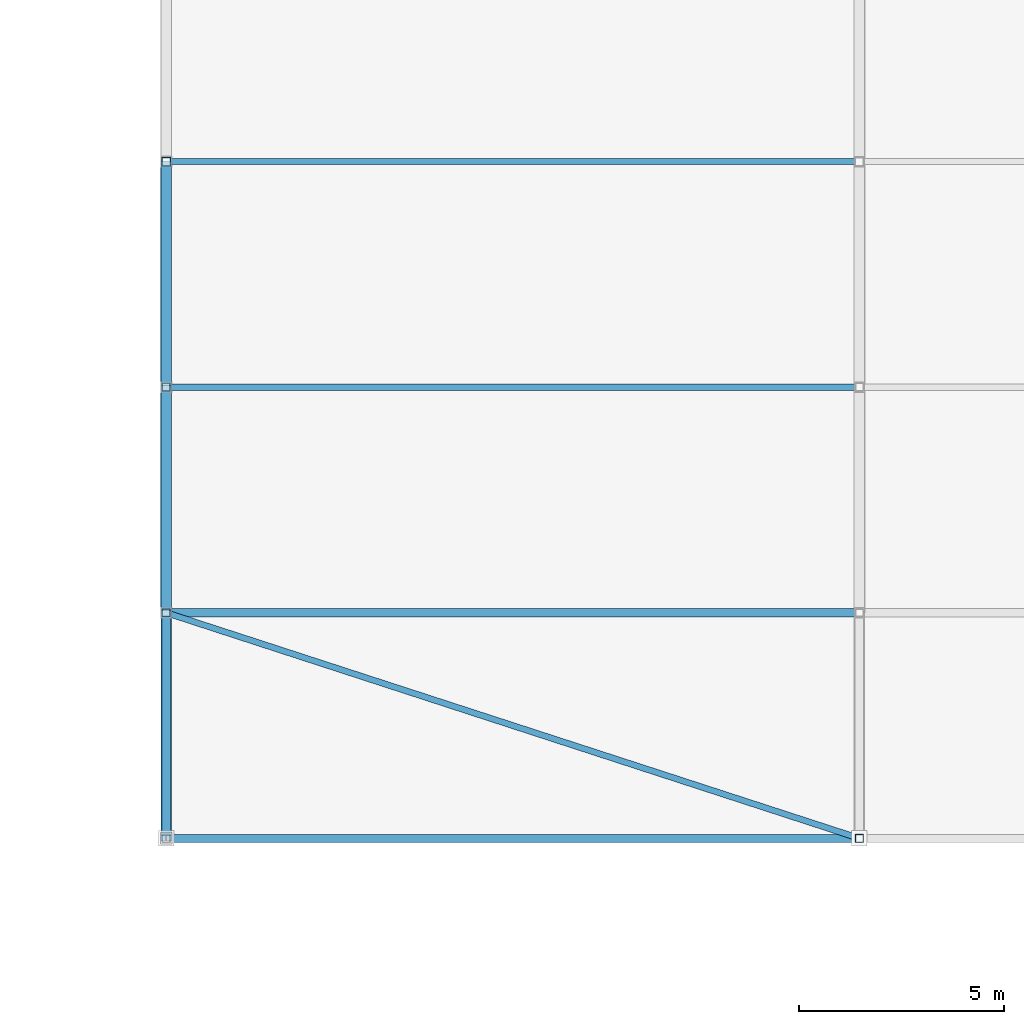
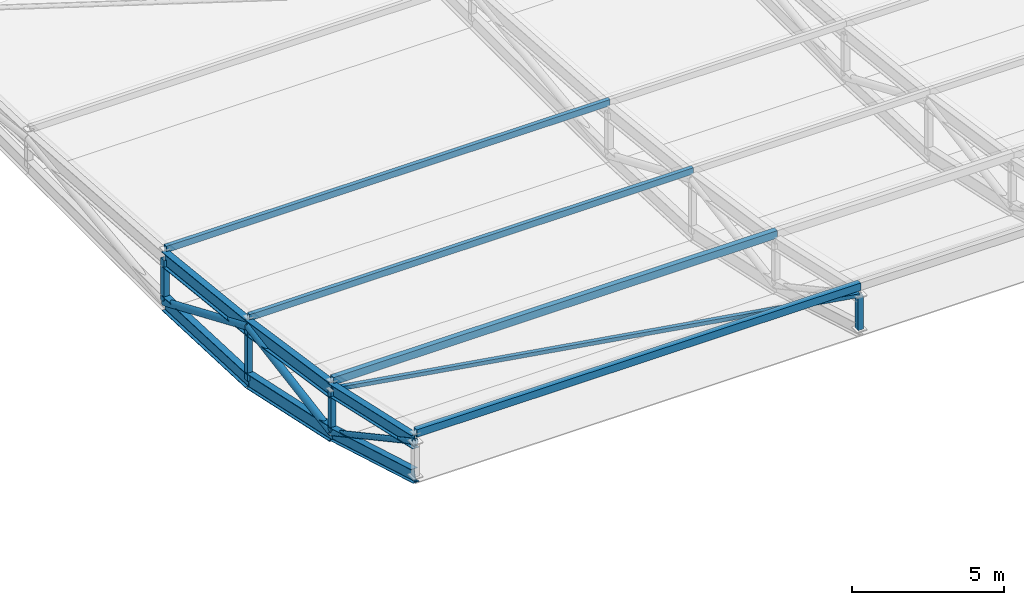
# One storey, part 32 of 114: 12 members, 6 beams.
"""IFC4 building model written with IfcOpenShell, lengths in metres."""

from ifc_helpers import new_model, si_unit, direction, frame, origin, origin_2d, place, context, subcontext, project, spatial, hollow_rectangle, hollow_circle, i_section, extrude, material, material_profile, profile_set, type_object, element, save


model = new_model("IFC4")

# Units and contexts
model_context = context("Model", 3, precision=1e-05, world=origin(), true_north=direction((0.0, 1.0)))
body_context = subcontext(model_context, "Body", "Model", "MODEL_VIEW")
ifc_project = project(units=[si_unit("LENGTHUNIT", "METRE"), si_unit("AREAUNIT", "SQUARE_METRE"), si_unit("VOLUMEUNIT", "CUBIC_METRE"), si_unit("PLANEANGLEUNIT", "RADIAN"), si_unit("MASSUNIT", "GRAM", prefix="KILO"), si_unit("THERMODYNAMICTEMPERATUREUNIT", "KELVIN"), si_unit("POWERUNIT", "WATT")], contexts=[model_context])

# Site, building, storey
site_placement = place(None, origin())
site = spatial("IfcSite", under=ifc_project, at=site_placement, CompositionType="ELEMENT")
building_placement = place(site_placement, origin())
building = spatial("IfcBuilding", under=site, at=building_placement, Name="Sindhuravela Promenade Stadium", CompositionType="ELEMENT")
storey_placement = place(building_placement, frame((0.0, 0.0, 24.0)))
storey = spatial("IfcBuildingStorey", under=building, at=storey_placement, Name="L05", CompositionType="ELEMENT", Elevation=24.0)

# Beams
ifc_material = material(Name="Steel E350 (IS 2062 E350BR)", Category="steel")
ifc_material_profile_1 = material_profile(ifc_material, i_section(OverallWidth=0.25, OverallDepth=0.5, WebThickness=0.010009765625, FlangeThickness=0.0146484375, FilletRadius=0.014892578125, at=origin_2d()), Name="ISWB 500")
ifc_profile_set_1 = profile_set([ifc_material_profile_1], Name="Steel E350 (IS 2062 E350BR)")
beam_type_1 = type_object("IfcBeamType", Name="ST-BM-WB500", PredefinedType="USERDEFINED", material=ifc_profile_set_1)
beam_1_placement = place(storey_placement, frame((55.10009765625, 124.0, 3.169189453125), z_axis=(0.0, -0.9758669805330386, 0.2183658313595103), x_axis=(1.0, 0.0, 0.0)))
element("IfcBeam", 1, at=beam_1_placement, inside=storey, type_object=beam_type_1, Name="Roof truss RT-N01 top chord 5", ObjectType="ROOF TRUSS", PredefinedType="USERDEFINED", context=body_context, shape_type="SweptSolid", body=[
    extrude(i_section(OverallWidth=0.25, OverallDepth=0.5, WebThickness=0.010009765625, FlangeThickness=0.0146484375, FilletRadius=0.014892578125, at=origin_2d()), origin(), (0.0, 0.0, 1.0), 5.635986328125),
])
beam_2_placement = place(storey_placement, frame((55.10009765625, 124.0, 1.419189453125), z_axis=(0.0, -0.9599274278129861, 0.28024869907342015), x_axis=(1.0, 0.0, 0.0)))
element("IfcBeam", 2, at=beam_2_placement, inside=storey, type_object=beam_type_1, Name="Roof truss RT-N01 bottom chord 5", ObjectType="ROOF TRUSS", PredefinedType="USERDEFINED", context=body_context, shape_type="SweptSolid", body=[
    extrude(i_section(OverallWidth=0.25, OverallDepth=0.5, WebThickness=0.010009765625, FlangeThickness=0.0146484375, FilletRadius=0.014892578125, at=origin_2d()), origin(), (0.0, 0.0, 1.0), 5.7294921875),
])
ifc_material_profile_2 = material_profile(ifc_material, i_section(OverallWidth=0.25, OverallDepth=0.60009765625, WebThickness=0.01171875, FlangeThickness=0.023681640625, FilletRadius=0.01708984375, at=origin_2d()), Name="ISWB 600")
ifc_profile_set_2 = profile_set([ifc_material_profile_2], Name="Steel E350 (IS 2062 E350BR)")
beam_type_2 = type_object("IfcBeamType", Name="ST-BM-WB600", PredefinedType="USERDEFINED", material=ifc_profile_set_2)
beam_3_placement = place(storey_placement, frame((55.10009765625, 135.0, 1.76318359375), z_axis=(0.0, -0.9943078180575428, 0.1065455909441987), x_axis=(1.0, 0.0, 0.0)))
element("IfcBeam", 3, at=beam_3_placement, inside=storey, type_object=beam_type_2, Name="Roof truss RT-N01 top chord 3", ObjectType="ROOF TRUSS", PredefinedType="USERDEFINED", context=body_context, shape_type="SweptSolid", body=[
    extrude(i_section(OverallWidth=0.25, OverallDepth=0.60009765625, WebThickness=0.01171875, FlangeThickness=0.023681640625, FilletRadius=0.01708984375, at=origin_2d()), origin(), (0.0, 0.0, 1.0), 5.531494140625),
])
beam_4_placement = place(storey_placement, frame((55.10009765625, 135.0, 0.0), z_axis=(0.0, -0.9991453279387894, 0.04133538022189949), x_axis=(1.0, 0.0, 0.0)))
element("IfcBeam", 4, at=beam_4_placement, inside=storey, type_object=beam_type_2, Name="Roof truss RT-N01 bottom chord 3", ObjectType="ROOF TRUSS", PredefinedType="USERDEFINED", context=body_context, shape_type="SweptSolid", body=[
    extrude(i_section(OverallWidth=0.25, OverallDepth=0.60009765625, WebThickness=0.01171875, FlangeThickness=0.023681640625, FilletRadius=0.01708984375, at=origin_2d()), origin(), (0.0, 0.0, 1.0), 5.504638671875),
])
beam_5_placement = place(storey_placement, frame((55.10009765625, 129.5, 2.3525390625), z_axis=(0.0, -0.9891555530237203, 0.14687168523012892), x_axis=(1.0, 0.0, 0.0)))
element("IfcBeam", 5, at=beam_5_placement, inside=storey, type_object=beam_type_2, Name="Roof truss RT-N01 top chord 4", ObjectType="ROOF TRUSS", PredefinedType="USERDEFINED", context=body_context, shape_type="SweptSolid", body=[
    extrude(i_section(OverallWidth=0.25, OverallDepth=0.60009765625, WebThickness=0.01171875, FlangeThickness=0.023681640625, FilletRadius=0.01708984375, at=origin_2d()), origin(), (0.0, 0.0, 1.0), 5.560302734375),
])
beam_6_placement = place(storey_placement, frame((55.10009765625, 129.5, 0.2275390625), z_axis=(0.0, -0.9773237385626684, 0.21175058451368894), x_axis=(1.0, 0.0, 0.0)))
element("IfcBeam", 6, at=beam_6_placement, inside=storey, type_object=beam_type_2, Name="Roof truss RT-N01 bottom chord 4", ObjectType="ROOF TRUSS", PredefinedType="USERDEFINED", context=body_context, shape_type="SweptSolid", body=[
    extrude(i_section(OverallWidth=0.25, OverallDepth=0.60009765625, WebThickness=0.01171875, FlangeThickness=0.023681640625, FilletRadius=0.01708984375, at=origin_2d()), origin(), (0.0, 0.0, 1.0), 5.627685546875),
])

# Members
ifc_material_profile_3 = material_profile(ifc_material, hollow_circle(Radius=0.109619140625, WallThickness=0.010009765625, at=origin_2d()), Name="CHS 219.1x10")
ifc_profile_set_3 = profile_set([ifc_material_profile_3], Name="Steel E350 (IS 2062 E350BR)")
member_type_1 = type_object("IfcMemberType", Name="ST-MB-CHS219", PredefinedType="BRACE", material=ifc_profile_set_3)
member_1_placement = place(storey_placement, frame((55.10009765625, 124.0, 1.419189453125), z_axis=(0.0, -0.8791884339384995, 0.47647423605979855), x_axis=(1.0, 0.0, 0.0)))
element("IfcMember", 7, at=member_1_placement, inside=storey, type_object=member_type_1, Name="Roof truss RT-N01 diagonal web 5", PredefinedType="BRACE", context=body_context, shape_type="SweptSolid", body=[
    extrude(hollow_circle(Radius=0.109619140625, WallThickness=0.010009765625, at=origin_2d()), origin(), (0.0, 0.0, 1.0), 6.255859375),
])
ifc_material_profile_4 = material_profile(ifc_material, hollow_circle(Radius=0.136474609375, WallThickness=0.010009765625, at=origin_2d()), Name="CHS 273.0x10")
ifc_profile_set_4 = profile_set([ifc_material_profile_4], Name="Steel E350 (IS 2062 E350BR)")
member_type_2 = type_object("IfcMemberType", Name="ST-MB-CHS273", PredefinedType="BRACE", material=ifc_profile_set_4)
member_2_placement = place(storey_placement, frame((55.10009765625, 135.0, 0.0), z_axis=(0.0, -0.9194234507496676, 0.3932690150667524), x_axis=(1.0, 0.0, 0.0)))
element("IfcMember", 8, at=member_2_placement, inside=storey, type_object=member_type_2, Name="Roof truss RT-N01 diagonal web 3", PredefinedType="BRACE", context=body_context, shape_type="SweptSolid", body=[
    extrude(hollow_circle(Radius=0.136474609375, WallThickness=0.010009765625, at=origin_2d()), origin(), (0.0, 0.0, 1.0), 5.98193359375),
])
member_3_placement = place(storey_placement, frame((55.10009765625, 129.5, 2.3525390625), z_axis=(0.0, -0.9859046851385784, -0.1673079550463772), x_axis=(1.0, 0.0, 0.0)))
element("IfcMember", 9, at=member_3_placement, inside=storey, type_object=member_type_2, Name="Roof truss RT-N01 diagonal web 4", PredefinedType="BRACE", context=body_context, shape_type="SweptSolid", body=[
    extrude(hollow_circle(Radius=0.136474609375, WallThickness=0.010009765625, at=origin_2d()), origin(), (0.0, 0.0, 1.0), 5.57861328125),
])
ifc_material_profile_5 = material_profile(ifc_material, hollow_rectangle(XDim=0.14990234375, YDim=0.25, WallThickness=0.010009765625, at=origin_2d()), Name="RHS 250x150x10")
ifc_profile_set_5 = profile_set([ifc_material_profile_5], Name="Steel E350 (IS 2062 E350BR)")
member_type_3 = type_object("IfcMemberType", Name="ST-MB-RHS250", PredefinedType="PURLIN", material=ifc_profile_set_5)
for number, where, z_axis, x_axis, name in (
    (10, (55.10009765625, 135.0, 2.1552734375), (1.0, 0.0, 0.0), (0.0, 1.0, 0.0), "Roof purlin PR01 N bay 1.3"),
    (11, (55.10009765625, 129.5, 2.744384765625), (1.0, 0.0, 0.0), (0.0, 1.0, 0.0), "Roof purlin PR01 N bay 1.4"),
):
    element("IfcMember", number, at=place(storey_placement, frame(where, z_axis=z_axis, x_axis=x_axis)), inside=storey, type_object=member_type_3, Name=name, PredefinedType="PURLIN", context=body_context, shape_type="SweptSolid", body=[
        extrude(hollow_rectangle(XDim=0.14990234375, YDim=0.25, WallThickness=0.010009765625, at=origin_2d()), origin(), (0.0, 0.0, 1.0), 16.89990234375),
    ])
ifc_material_profile_6 = material_profile(ifc_material, hollow_rectangle(XDim=0.199951171875, YDim=0.300048828125, WallThickness=0.010009765625, at=origin_2d()), Name="RHS 300x200x10")
ifc_profile_set_6 = profile_set([ifc_material_profile_6], Name="Steel E350 (IS 2062 E350BR)")
member_type_4 = type_object("IfcMemberType", Name="ST-MB-RHS300", PredefinedType="PURLIN", material=ifc_profile_set_6)
for number, where, z_axis, x_axis, name in (
    (12, (55.10009765625, 124.0, 3.5361328125), (1.0, 0.0, 0.0), (0.0, 1.0, 0.0), "Roof purlin PR02 N bay 1.5"),
    (13, (55.10009765625, 118.5, 4.76708984375), (1.0, 0.0, 0.0), (0.0, 1.0, 0.0), "Roof purlin PR02 N bay 1.6"),
):
    element("IfcMember", number, at=place(storey_placement, frame(where, z_axis=z_axis, x_axis=x_axis)), inside=storey, type_object=member_type_4, Name=name, PredefinedType="PURLIN", context=body_context, shape_type="SweptSolid", body=[
        extrude(hollow_rectangle(XDim=0.199951171875, YDim=0.300048828125, WallThickness=0.010009765625, at=origin_2d()), origin(), (0.0, 0.0, 1.0), 16.89990234375),
    ])
ifc_material_profile_7 = material_profile(ifc_material, hollow_rectangle(XDim=0.14990234375, YDim=0.14990234375, WallThickness=0.008056640625, at=origin_2d()), Name="SHS 150x150x8")
ifc_profile_set_7 = profile_set([ifc_material_profile_7], Name="Steel E350 (IS 2062 E350BR)")
member_type_5 = type_object("IfcMemberType", Name="ST-MB-SHS150", PredefinedType="BRACE", material=ifc_profile_set_7)
member_4_placement = place(storey_placement, frame((55.10009765625, 124.0, 3.169189453125), z_axis=(0.9486375974241422, -0.3087299961684302, 0.06908327018310799), x_axis=(0.30946935032671946, 0.9509094179827846, 0.0)))
element("IfcMember", 14, at=member_4_placement, inside=storey, type_object=member_type_5, Name="Roof wind brace MB01 N bay 1", PredefinedType="BRACE", context=body_context, shape_type="SweptSolid", body=[
    extrude(hollow_rectangle(XDim=0.14990234375, YDim=0.14990234375, WallThickness=0.008056640625, at=origin_2d()), origin(), (0.0, 0.0, 1.0), 17.81494140625),
])
ifc_material_profile_8 = material_profile(ifc_material, hollow_rectangle(XDim=0.199951171875, YDim=0.199951171875, WallThickness=0.010009765625, at=origin_2d()), Name="SHS 200x200x10")
ifc_profile_set_8 = profile_set([ifc_material_profile_8], Name="Steel E350 (IS 2062 E350BR)")
member_type_6 = type_object("IfcMemberType", Name="ST-MB-SHS200", PredefinedType="POST", material=ifc_profile_set_8)
member_5_placement = place(storey_placement, frame((55.10009765625, 129.5, 0.2275390625), z_axis=(0.0, 0.0, 1.0), x_axis=(1.0, 0.0, 0.0)))
element("IfcMember", 15, at=member_5_placement, inside=storey, type_object=member_type_6, Name="Roof truss RT-N01 vertical post 4", PredefinedType="POST", context=body_context, shape_type="SweptSolid", body=[
    extrude(hollow_rectangle(XDim=0.199951171875, YDim=0.199951171875, WallThickness=0.010009765625, at=origin_2d()), origin(), (0.0, 0.0, 1.0), 2.125),
])
member_6_placement = place(storey_placement, frame((55.10009765625, 124.0, 1.419189453125), z_axis=(0.0, 0.0, 1.0), x_axis=(1.0, 0.0, 0.0)))
element("IfcMember", 16, at=member_6_placement, inside=storey, type_object=member_type_6, Name="Roof truss RT-N01 vertical post 5", PredefinedType="POST", context=body_context, shape_type="SweptSolid", body=[
    extrude(hollow_rectangle(XDim=0.199951171875, YDim=0.199951171875, WallThickness=0.010009765625, at=origin_2d()), origin(), (0.0, 0.0, 1.0), 1.75),
])
member_7_placement = place(storey_placement, frame((72.0, 118.5, 3.02490234375), z_axis=(0.0, 0.0, 1.0), x_axis=(1.0, 0.0, 0.0)))
element("IfcMember", 17, at=member_7_placement, inside=storey, type_object=member_type_6, Name="Roof truss RT-N02 vertical post 6", PredefinedType="POST", context=body_context, shape_type="SweptSolid", body=[
    extrude(hollow_rectangle(XDim=0.199951171875, YDim=0.199951171875, WallThickness=0.010009765625, at=origin_2d()), origin(), (0.0, 0.0, 1.0), 1.375),
])
ifc_material_profile_9 = material_profile(ifc_material, hollow_rectangle(XDim=0.219970703125, YDim=0.219970703125, WallThickness=0.011962890625, at=origin_2d()), Name="SHS 220x220x12")
ifc_profile_set_9 = profile_set([ifc_material_profile_9], Name="Steel E350 (IS 2062 E350BR)")
member_type_7 = type_object("IfcMemberType", Name="ST-MB-SHS220", PredefinedType="POST", material=ifc_profile_set_9)
member_8_placement = place(storey_placement, frame((55.10009765625, 135.0, 0.0), z_axis=(0.0, 0.0, 1.0), x_axis=(1.0, 0.0, 0.0)))
element("IfcMember", 18, at=member_8_placement, inside=storey, type_object=member_type_7, Name="Roof truss RT-N01 vertical post 3", PredefinedType="POST", context=body_context, shape_type="SweptSolid", body=[
    extrude(hollow_rectangle(XDim=0.219970703125, YDim=0.219970703125, WallThickness=0.011962890625, at=origin_2d()), origin(), (0.0, 0.0, 1.0), 1.76318359375),
])

save(model, "model.ifc")
